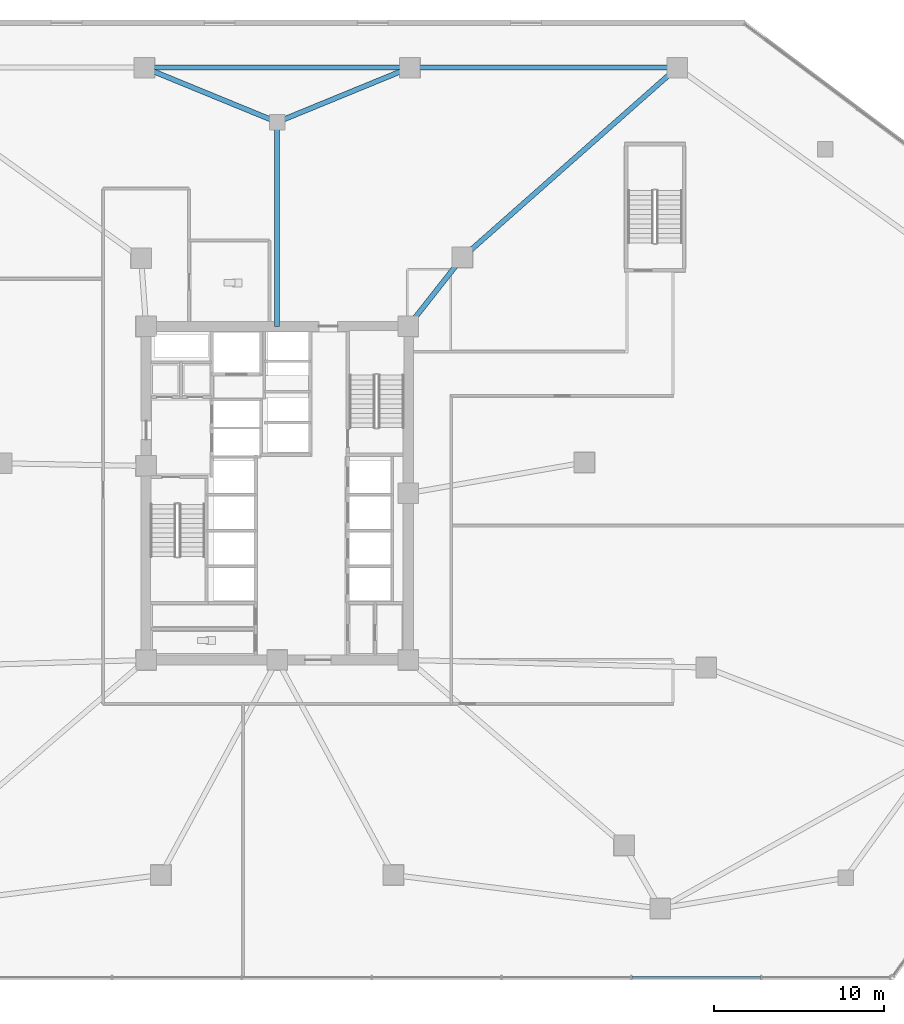
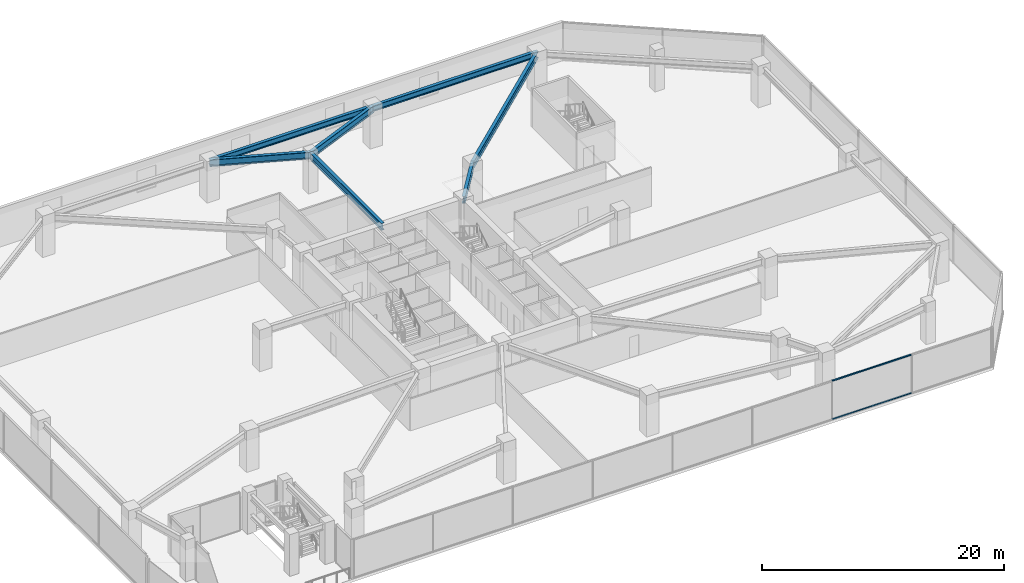
# One storey, part 7 of 21: 7 beams, 2 members, 1 element without a shape of its own.
"""IFC4 building model written with IfcOpenShell, lengths in metres."""

from ifc_helpers import new_model, si_unit, direction, frame, origin, origin_2d, place, context, subcontext, project, spatial, rectangle, i_section, extrude, material, material_profile, profile_set, type_object, element, aggregate, save


model = new_model("IFC4")

# Units and contexts
model_context = context("Model", 3, precision=1e-05, world=origin(), true_north=direction((0.0, 1.0)))
body_context = subcontext(model_context, "Body", "Model", "MODEL_VIEW")
ifc_project = project(units=[si_unit("LENGTHUNIT", "METRE"), si_unit("AREAUNIT", "SQUARE_METRE"), si_unit("VOLUMEUNIT", "CUBIC_METRE"), si_unit("PLANEANGLEUNIT", "RADIAN"), si_unit("MASSUNIT", "GRAM", prefix="KILO")], contexts=[model_context])

# Site, building, storey
site_placement = place(None, origin())
site = spatial("IfcSite", under=ifc_project, at=site_placement, CompositionType="ELEMENT")
building_placement = place(site_placement, origin())
building = spatial("IfcBuilding", under=site, at=building_placement, Name="Savorim Split Tower", CompositionType="ELEMENT")
storey_placement = place(building_placement, frame((0.0, 0.0, 5.0)))
storey = spatial("IfcBuildingStorey", under=building, at=storey_placement, Name="L01", CompositionType="ELEMENT", Elevation=5.0)

# Beams
ifc_material_1 = material(Name="Steel S355", Category="steel")
ifc_material_profile_1 = material_profile(ifc_material_1, i_section(OverallWidth=0.300048828125, OverallDepth=0.699951171875, WebThickness=0.01708984375, FlangeThickness=0.031982421875, FilletRadius=0.027099609375, at=origin_2d()), Name="HEB 700")
ifc_profile_set_1 = profile_set([ifc_material_profile_1], Name="Steel S355")
beam_type_1 = type_object("IfcBeamType", Name="BM-PRI-HEB700", PredefinedType="BEAM", material=ifc_profile_set_1)
beam_1_placement = place(storey_placement, frame((23.5, 25.39990234375, 3.570068359375), z_axis=(-0.749278545997, -0.66225498149, 0.0), x_axis=(0.66225498149, -0.749278545997, 0.0)))
element("IfcBeam", 1, at=beam_1_placement, inside=storey, type_object=beam_type_1, Name="L01 Podium Primary Girder BG-11", PredefinedType="BEAM", context=body_context, shape_type="SweptSolid", body=[
    extrude(i_section(OverallWidth=0.300048828125, OverallDepth=0.699951171875, WebThickness=0.01708984375, FlangeThickness=0.031982421875, FilletRadius=0.027099609375, at=origin_2d()), origin(), (0.0, 0.0, 1.0), 16.83544921875),
])
for number, where, z_axis, x_axis, name in (
    (2, (7.800048828125, 25.39990234375, 3.570068359375), (-0.925171486421, -0.379549365317, 0.0), (0.379549365317, -0.925171486421, 0.0), "L01 Podium Primary Girder BG-12"),
    (3, (-7.800048828125, 25.39990234375, 3.570068359375), (0.925171486421, -0.379549365317, 0.0), (0.379549365317, 0.925171486421, 0.0), "L01 Podium Primary Girder BG-13"),
):
    element("IfcBeam", number, at=place(storey_placement, frame(where, z_axis=z_axis, x_axis=x_axis)), inside=storey, type_object=beam_type_1, Name=name, PredefinedType="BEAM", context=body_context, shape_type="SweptSolid", body=[
        extrude(i_section(OverallWidth=0.300048828125, OverallDepth=0.699951171875, WebThickness=0.01708984375, FlangeThickness=0.031982421875, FilletRadius=0.027099609375, at=origin_2d()), origin(), (0.0, 0.0, 1.0), 8.430908203125),
    ])
beam_2_placement = place(storey_placement, frame((0.0, 22.199951171875, 3.570068359375), z_axis=(0.0, -1.0, 0.0), x_axis=(1.0, 0.0, 0.0)))
element("IfcBeam", 4, at=beam_2_placement, inside=storey, type_object=beam_type_1, Name="L01 Podium Primary Girder BG-14", PredefinedType="BEAM", context=body_context, shape_type="SweptSolid", body=[
    extrude(i_section(OverallWidth=0.300048828125, OverallDepth=0.699951171875, WebThickness=0.01708984375, FlangeThickness=0.031982421875, FilletRadius=0.027099609375, at=origin_2d()), origin(), (0.0, 0.0, 1.0), 12.0),
])
beam_3_placement = place(storey_placement, frame((10.885498046875, 14.25048828125, 3.570068359375), z_axis=(-0.618179283891, -0.786037132054, 0.0), x_axis=(0.786037132054, -0.618179283891, 0.0)))
element("IfcBeam", 5, at=beam_3_placement, inside=storey, type_object=beam_type_1, Name="L01 Podium Primary Girder BG-28", PredefinedType="BEAM", context=body_context, shape_type="SweptSolid", body=[
    extrude(i_section(OverallWidth=0.300048828125, OverallDepth=0.699951171875, WebThickness=0.01708984375, FlangeThickness=0.031982421875, FilletRadius=0.027099609375, at=origin_2d()), origin(), (0.0, 0.0, 1.0), 5.153076171875),
])
ifc_material_profile_2 = material_profile(ifc_material_1, i_section(OverallWidth=0.300048828125, OverallDepth=0.590087890625, WebThickness=0.012939453125, FlangeThickness=0.02490234375, FilletRadius=0.027099609375, at=origin_2d()), Name="HEA 600")
ifc_profile_set_2 = profile_set([ifc_material_profile_2], Name="Steel S355")
beam_type_2 = type_object("IfcBeamType", Name="BM-SPN-HEA600", PredefinedType="SPANDREL", material=ifc_profile_set_2)
beam_4_placement = place(storey_placement, frame((23.5, 25.39990234375, 3.625), z_axis=(-1.0, 0.0, 0.0), x_axis=(0.0, -1.0, 0.0)))
element("IfcBeam", 6, at=beam_4_placement, inside=storey, type_object=beam_type_2, Name="L01 Podium Spandrel Beam 6", PredefinedType="SPANDREL", context=body_context, shape_type="SweptSolid", body=[
    extrude(i_section(OverallWidth=0.300048828125, OverallDepth=0.590087890625, WebThickness=0.012939453125, FlangeThickness=0.02490234375, FilletRadius=0.027099609375, at=origin_2d()), origin(), (0.0, 0.0, 1.0), 15.699951171875),
])
beam_5_placement = place(storey_placement, frame((7.800048828125, 25.39990234375, 3.625), z_axis=(-1.0, 0.0, 0.0), x_axis=(0.0, -1.0, 0.0)))
element("IfcBeam", 7, at=beam_5_placement, inside=storey, type_object=beam_type_2, Name="L01 Podium Spandrel Beam 7", PredefinedType="SPANDREL", context=body_context, shape_type="SweptSolid", body=[
    extrude(i_section(OverallWidth=0.300048828125, OverallDepth=0.590087890625, WebThickness=0.012939453125, FlangeThickness=0.02490234375, FilletRadius=0.027099609375, at=origin_2d()), origin(), (0.0, 0.0, 1.0), 15.60009765625),
])

# Curtain wall, members
ifc_material_2 = material(Name="Dark Ceramic-Fritted Insulated Glass", Category="glass")
curtain_wall_type = type_object("IfcCurtainWallType", Name="CW-POD-GLZ", PredefinedType="NOTDEFINED", material=ifc_material_2)
curtain_wall_placement = place(storey_placement, origin())
curtain_wall = element("IfcCurtainWall", 8, at=curtain_wall_placement, inside=storey, type_object=curtain_wall_type, Name="L01 Curtain Wall CW-L01-E04", PredefinedType="NOTDEFINED")
ifc_material_3 = material(Name="Charcoal Anodised Aluminium", Category="aluminium")
ifc_material_profile_3 = material_profile(ifc_material_3, rectangle(XDim=0.159912109375, YDim=0.06005859375, at=origin_2d()), Name="ALU-T 160x60")
ifc_profile_set_3 = profile_set([ifc_material_profile_3], Name="Charcoal Anodised Aluminium")
member_type = type_object("IfcMemberType", Name="CWT-160x60", PredefinedType="USERDEFINED", material=ifc_profile_set_3)
member_1_placement = place(storey_placement, frame((20.84130859375, -28.0400390625, 0.030029296875), z_axis=(1.0, 0.0, 0.0), x_axis=(0.0, 1.0, 0.0)))
member_1 = element("IfcMember", 9, at=member_1_placement, type_object=member_type, Name="CW-01 transom 7.1", ObjectType="TRANSOM", PredefinedType="USERDEFINED", context=body_context, shape_type="SweptSolid", body=[
    extrude(rectangle(XDim=0.159912109375, YDim=0.06005859375, at=origin_2d()), origin(), (0.0, 0.0, 1.0), 7.556884765625),
])
member_2_placement = place(storey_placement, frame((20.84130859375, -28.0400390625, 3.889892578125), z_axis=(1.0, 0.0, 0.0), x_axis=(0.0, 1.0, 0.0)))
member_2 = element("IfcMember", 10, at=member_2_placement, type_object=member_type, Name="CW-01 transom 7.2", ObjectType="TRANSOM", PredefinedType="USERDEFINED", context=body_context, shape_type="SweptSolid", body=[
    extrude(rectangle(XDim=0.159912109375, YDim=0.06005859375, at=origin_2d()), origin(), (0.0, 0.0, 1.0), 7.556884765625),
])
aggregate(curtain_wall, [member_1, member_2])

save(model, "model.ifc")
